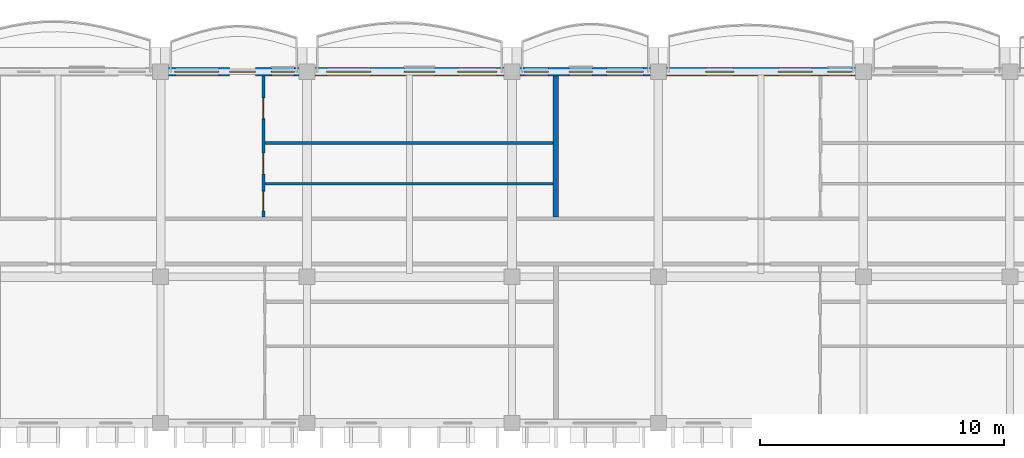
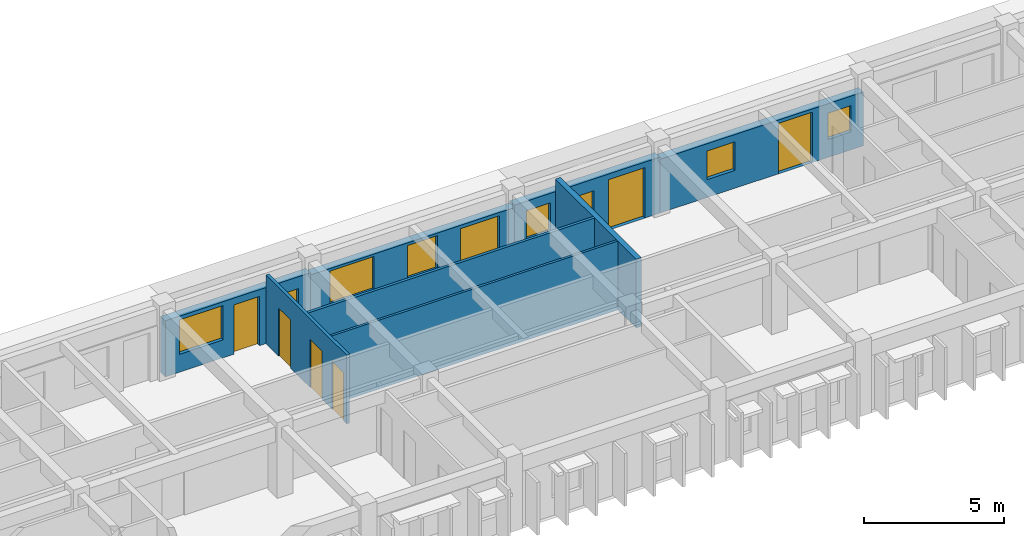
# One storey, part 30 of 70: 8 walls, 8 windows, 7 doors, 15 openings.
"""IFC4 building model written with IfcOpenShell, lengths in metres."""

import ifcopenshell
import ifcopenshell.guid

model = None  # the IFC model being written
_history = None  # IfcOwnerHistory: only IFC2X3 demands one
_inside = {}  # id of a spatial element -> (the spatial element, [elements in it])
_under = {}  # id of a project, library or spatial element -> (it, [spatial elements below it])
_declared = {}  # id of a project -> (the project, [libraries it declares])
_typed = {}  # id of a type object -> (the type object, [elements of that type])
_made_of = {}  # id of a material, layer set ... -> (it, [elements and type objects made of it])


def new_model(schema):
    """Start an empty IFC model of exactly this schema.

    Asked for "IFC4X3", IfcOpenShell would pick the latest addendum, in which some entities
    have other attributes; the version numbers below select the first issue.
    IFC2X3 requires an IfcOwnerHistory on every rooted entity: one is made here for all.
    """
    global model, _history
    if schema == "IFC4X3":
        model = ifcopenshell.file(schema_version=(4, 3, 0, 0))
    else:
        model = ifcopenshell.file(schema=schema)
    _inside.clear()
    _under.clear()
    _declared.clear()
    _typed.clear()
    _made_of.clear()
    _history = None
    if model.schema == "IFC2X3":
        org = make("IfcOrganization", Name="unknown")
        user = make(
            "IfcPersonAndOrganization",
            ThePerson=make("IfcPerson", FamilyName="unknown"),
            TheOrganization=org,
        )
        app = make(
            "IfcApplication",
            ApplicationDeveloper=org,
            Version="unknown",
            ApplicationFullName="unknown",
            ApplicationIdentifier="unknown",
        )
        _history = make(
            "IfcOwnerHistory",
            OwningUser=user,
            OwningApplication=app,
            ChangeAction="ADDED",
            CreationDate=0,
        )
    return model


def make(cls, **values):
    """One entity of the class cls with the attributes given. An attribute that is None is left unset."""
    return model.create_entity(
        cls, **{name: value for name, value in values.items() if value is not None}
    )


def rooted(cls, **values):
    """An entity with a GlobalId (a new one), such as an element, a storey or a relation."""
    return make(cls, GlobalId=ifcopenshell.guid.new(), OwnerHistory=_history, **values)


def si_unit(unit_type, name, prefix=None):
    """IfcSIUnit, for example si_unit("LENGTHUNIT", "METRE", prefix="MILLI")."""
    return make("IfcSIUnit", UnitType=unit_type, Prefix=prefix, Name=name)


def assignment(units):
    """IfcUnitAssignment: the units of a project."""
    return None if units is None else make("IfcUnitAssignment", Units=units)


def point(xyz):
    """IfcCartesianPoint."""
    return None if xyz is None else make("IfcCartesianPoint", Coordinates=xyz)


def direction(xyz):
    """IfcDirection."""
    return None if xyz is None else make("IfcDirection", DirectionRatios=xyz)


def frame(location, z_axis=None, x_axis=None):
    """IfcAxis2Placement3D, a coordinate frame: its origin and axes. An axis left out is left unset."""
    return make(
        "IfcAxis2Placement3D",
        Location=point(location),
        Axis=direction(z_axis),
        RefDirection=direction(x_axis),
    )


def frame_2d(location, x_axis=None):
    """IfcAxis2Placement2D, a coordinate frame in the plane: its origin and x axis."""
    return make(
        "IfcAxis2Placement2D", Location=point(location), RefDirection=direction(x_axis)
    )


def origin():
    """The frame at (0, 0, 0) with its axes left unset."""
    return frame((0.0, 0.0, 0.0))


def place(relative_to, where):
    """IfcLocalPlacement: puts the frame where relative to a parent placement (None: the world)."""
    return make(
        "IfcLocalPlacement", PlacementRelTo=relative_to, RelativePlacement=where
    )


def context(
    kind, dimensions, precision=None, world=None, true_north=None, identifier=None
):
    """IfcGeometricRepresentationContext, for example the 3D "Model" context."""
    return make(
        "IfcGeometricRepresentationContext",
        ContextIdentifier=identifier,
        ContextType=kind,
        CoordinateSpaceDimension=dimensions,
        Precision=precision,
        WorldCoordinateSystem=world,
        TrueNorth=true_north,
    )


def subcontext(parent, identifier, kind, view, scale=None):
    """IfcGeometricRepresentationSubContext, for example "Body" below "Model"."""
    return make(
        "IfcGeometricRepresentationSubContext",
        ContextIdentifier=identifier,
        ContextType=kind,
        ParentContext=parent,
        TargetScale=scale,
        TargetView=view,
    )


def project(units=None, contexts=None):
    """IfcProject with its units and contexts."""
    return rooted(
        "IfcProject",
        Name="project",
        RepresentationContexts=contexts,
        UnitsInContext=assignment(units),
    )


def spatial(cls, under=None, at=None, **own):
    """A site, building, storey or space (cls), placed at a placement, below another one or the project."""
    s = rooted(cls, ObjectPlacement=at, **own)
    if under is not None:
        _under.setdefault(under.id(), (under, []))[1].append(s)
    return s


def profile(cls, at=None, kind="AREA", **sizes):
    """A parametric profile (cls). Its sizes go by their IFC names, for example OverallWidth=200.0."""
    return make(cls, ProfileType=kind, Position=at, **sizes)


def rectangle(**sizes):
    """IfcRectangleProfileDef."""
    return profile("IfcRectangleProfileDef", **sizes)


def extrude(swept, where, along, depth):
    """IfcExtrudedAreaSolid: the profile swept, set in the frame where, extruded along a direction by depth."""
    return make(
        "IfcExtrudedAreaSolid",
        SweptArea=swept,
        Position=where,
        ExtrudedDirection=direction(along),
        Depth=depth,
    )


def shape(context_of_items, identifier, shape_type, items):
    """IfcShapeRepresentation: the items that make up one representation, for example the "Body"."""
    return make(
        "IfcShapeRepresentation",
        ContextOfItems=context_of_items,
        RepresentationIdentifier=identifier,
        RepresentationType=shape_type,
        Items=items,
    )


def material(Name=None, Category=None):
    """IfcMaterial."""
    return make("IfcMaterial", Name=Name, Category=Category)


def layer(
    of_material, thickness, ventilated=None, Name=None, Category=None, Priority=None
):
    """IfcMaterialLayer: one layer of a wall or slab, of a material (None: an air gap)."""
    return make(
        "IfcMaterialLayer",
        Material=of_material,
        LayerThickness=thickness,
        IsVentilated=ventilated,
        Name=Name,
        Category=Category,
        Priority=Priority,
    )


def layer_set(layers, Name=None):
    """IfcMaterialLayerSet."""
    return make("IfcMaterialLayerSet", MaterialLayers=layers, LayerSetName=Name)


def made_of(thing, what):
    """Note that an element or type object is made of a material, layer set ...; save() writes the relation."""
    if what is not None:
        _made_of.setdefault(what.id(), (what, []))[1].append(thing)
    return thing


def type_object(cls, material=None, **own):
    """A type object (cls), such as IfcWallType, which elements share."""
    return made_of(rooted(cls, **own), material)


def element(
    cls,
    number,
    at=None,
    inside=None,
    cuts=None,
    type_object=None,
    material=None,
    context=None,
    identifier="Body",
    shape_type=None,
    held_by="IfcProductDefinitionShape",
    body=None,
    shapes=None,
    **own,
):
    """One element of the class cls, such as IfcWall. Its Tag is "e" and its number.

    at: its placement. inside: the storey or other place that contains it. cuts: it is an
    opening in that element (IfcRelVoidsElement). A single representation is given by context,
    identifier, shape_type and body (its items); several are given by shapes. held_by: the class
    of the entity that holds the representations. save() writes the other relations.
    """
    e = rooted(cls, Tag="e%d" % number, ObjectPlacement=at, **own)
    if body is not None:
        shapes = [shape(context, identifier, shape_type, body)]
    if shapes is not None:
        e.Representation = make(held_by, Representations=shapes)
    if inside is not None:
        _inside.setdefault(inside.id(), (inside, []))[1].append(e)
    if cuts is not None:
        rooted(
            "IfcRelVoidsElement", RelatingBuildingElement=cuts, RelatedOpeningElement=e
        )
    if type_object is not None:
        _typed.setdefault(type_object.id(), (type_object, []))[1].append(e)
    return made_of(e, material)


def fill(opening, filler):
    """IfcRelFillsElement: the door or window that sits in an opening."""
    return rooted(
        "IfcRelFillsElement",
        RelatingOpeningElement=opening,
        RelatedBuildingElement=filler,
    )


def aggregate(whole, parts):
    """IfcRelAggregates: a whole, such as a stair, and the parts it consists of."""
    return rooted("IfcRelAggregates", RelatingObject=whole, RelatedObjects=parts)


def save(model, path):
    """Write the relations noted so far, then the file.

    IfcRelAggregates (storeys below a building ...), IfcRelContainedInSpatialStructure (elements
    in a storey), IfcRelDefinesByType, IfcRelAssociatesMaterial and IfcRelDeclares: one each for
    every whole, place, type object, material and project.
    """
    for whole, parts in _under.values():
        aggregate(whole, parts)
    for where, things in _inside.values():
        rooted(
            "IfcRelContainedInSpatialStructure",
            RelatedElements=things,
            RelatingStructure=where,
        )
    for kind, things in _typed.values():
        rooted("IfcRelDefinesByType", RelatedObjects=things, RelatingType=kind)
    for what, things in _made_of.values():
        rooted("IfcRelAssociatesMaterial", RelatedObjects=things, RelatingMaterial=what)
    for by, libraries in _declared.values():
        rooted("IfcRelDeclares", RelatingContext=by, RelatedDefinitions=libraries)
    model.write(path)


model = new_model("IFC4")

# Units and contexts
model_context = context("Model", 3, precision=1e-05, world=origin(), true_north=direction((0.0, 1.0)))
body_context = subcontext(model_context, "Body", "Model", "MODEL_VIEW")
ifc_project = project(units=[si_unit("LENGTHUNIT", "METRE"), si_unit("AREAUNIT", "SQUARE_METRE"), si_unit("VOLUMEUNIT", "CUBIC_METRE"), si_unit("PLANEANGLEUNIT", "RADIAN"), si_unit("MASSUNIT", "GRAM", prefix="KILO"), si_unit("THERMODYNAMICTEMPERATUREUNIT", "KELVIN")], contexts=[model_context])

# Site, building, storey
site_placement = place(None, origin())
site = spatial("IfcSite", under=ifc_project, at=site_placement, CompositionType="ELEMENT")
building_placement = place(site_placement, origin())
building = spatial("IfcBuilding", under=site, at=building_placement, Name="Thalorik Housing Commons", CompositionType="ELEMENT")
storey_placement = place(building_placement, frame((0.0, 0.0, 14.699951171875)))
storey = spatial("IfcBuildingStorey", under=building, at=storey_placement, Name="L04", CompositionType="ELEMENT", Elevation=14.699951171875)

# Wall, openings, door, windows
ifc_material_1 = material(Name="White precast concrete C40/50", Category="concrete")
ifc_layer_1 = layer(ifc_material_1, 0.3349609375, Name="White precast concrete C40/50", Category="concrete")
ifc_layer_set_1 = layer_set([ifc_layer_1], Name="White precast concrete C40/50")
wall_type_1 = type_object("IfcWallType", Name="ARC-WAL-EXT-335", PredefinedType="STANDARD", material=ifc_layer_set_1)
wall_1_placement = place(storey_placement, frame((138.0, 123.60009765625, 0.0), z_axis=(0.0, 0.0, 1.0), x_axis=(-1.0, 0.0, 0.0)))
wall_1 = element("IfcWall", 1, at=wall_1_placement, inside=storey, type_object=wall_type_1, Name="L04 Exterior Wall WAL-EXT-L04-B-0528", PredefinedType="STANDARD", context=body_context, shape_type="SweptSolid", body=[
    extrude(rectangle(XDim=8.39990234375, YDim=0.3349609375, at=frame_2d((4.199951171875, 0.0))), origin(), (0.0, 0.0, 1.0), 2.344970703125),
])
opening_1_placement = place(wall_1_placement, frame((2.097900390625, 0.0, 0.0)))
opening_1 = element("IfcOpeningElement", 2, at=opening_1_placement, cuts=wall_1, Name="Opening ED-0162", PredefinedType="OPENING", context=body_context, shape_type="SweptSolid", body=[
    extrude(rectangle(XDim=1.39990234375, YDim=2.199951171875, at=frame_2d((0.699951171875, 1.10009765625))), frame((0.0, 0.177490234375, 0.0), z_axis=(0.0, -1.0, 0.0), x_axis=(1.0, 0.0, 0.0)), (0.0, 0.0, 1.0), 0.35498046875),
])
opening_2_placement = place(wall_1_placement, frame((0.50390625, 0.0, 0.780029296875)))
opening_2 = element("IfcOpeningElement", 3, at=opening_2_placement, cuts=wall_1, Name="Opening W-43", PredefinedType="OPENING", context=body_context, shape_type="SweptSolid", body=[
    extrude(rectangle(XDim=0.949951171875, YDim=1.14990234375, at=frame_2d((0.47509765625, 0.574951171875))), frame((0.0, 0.177490234375, 0.0), z_axis=(0.0, -1.0, 0.0), x_axis=(1.0, 0.0, 0.0)), (0.0, 0.0, 1.0), 0.35498046875),
])
opening_3_placement = place(wall_1_placement, frame((5.303955078125, 0.0, 0.780029296875)))
opening_3 = element("IfcOpeningElement", 4, at=opening_3_placement, cuts=wall_1, Name="Opening W-45", PredefinedType="OPENING", context=body_context, shape_type="SweptSolid", body=[
    extrude(rectangle(XDim=1.14990234375, YDim=1.25, at=frame_2d((0.574951171875, 0.625))), frame((0.0, 0.177490234375, 0.0), z_axis=(0.0, -1.0, 0.0), x_axis=(1.0, 0.0, 0.0)), (0.0, 0.0, 1.0), 0.35498046875),
])
ifc_material_2 = material(Name="Anodised aluminium and laminated safety glass", Category="aluminium")
door_type_1 = type_object("IfcDoorType", Name="ARC-DR-BAL-1400", OperationType="NOTDEFINED", PredefinedType="DOOR", material=ifc_material_2)
door_1_placement = place(opening_1_placement, frame((1.39990234375, 0.0, 0.0), z_axis=(0.0, 0.0, 1.0), x_axis=(-1.0, 0.0, 0.0)))
door_1 = element("IfcDoor", 5, at=door_1_placement, inside=storey, type_object=door_type_1, Name="L04 Block B Balcony Glazed Door", OperationType="SLIDING_TO_LEFT", OverallHeight=2.199951171875, OverallWidth=1.39990234375, PredefinedType="DOOR", context=body_context, shape_type="SweptSolid", body=[
    extrude(rectangle(XDim=1.39990234375, YDim=2.199951171875, at=frame_2d((0.699951171875, 1.10009765625))), frame((0.0, 0.02490234375, 0.0), z_axis=(0.0, -1.0, 0.0), x_axis=(1.0, 0.0, 0.0)), (0.0, 0.0, 1.0), 0.050048828125),
])
fill(opening_1, door_1)
ifc_material_3 = material(Name="Anodised aluminium and solar-control low-E glass", Category="aluminium")
window_type_1 = type_object("IfcWindowType", Name="ARC-WIN-43", PartitioningType="SINGLE_PANEL", PredefinedType="WINDOW", material=ifc_material_3)
window_1_placement = place(opening_2_placement, origin())
window_1 = element("IfcWindow", 6, at=window_1_placement, inside=storey, type_object=window_type_1, Name="L04 Facade Window 947", OverallHeight=1.14990234375, OverallWidth=0.949951171875, PartitioningType="SINGLE_PANEL", PredefinedType="WINDOW", context=body_context, shape_type="SweptSolid", body=[
    extrude(rectangle(XDim=0.949951171875, YDim=1.14990234375, at=frame_2d((0.47509765625, 0.574951171875))), frame((0.0, 0.030029296875, 0.0), z_axis=(0.0, -1.0, 0.0), x_axis=(1.0, 0.0, 0.0)), (0.0, 0.0, 1.0), 0.06005859375),
])
fill(opening_2, window_1)
window_type_2 = type_object("IfcWindowType", Name="ARC-WIN-45", PartitioningType="SINGLE_PANEL", PredefinedType="WINDOW", material=ifc_material_3)
window_2_placement = place(opening_3_placement, origin())
window_2 = element("IfcWindow", 7, at=window_2_placement, inside=storey, type_object=window_type_2, Name="L04 Facade Window 948", OverallHeight=1.25, OverallWidth=1.14990234375, PartitioningType="SINGLE_PANEL", PredefinedType="WINDOW", context=body_context, shape_type="SweptSolid", body=[
    extrude(rectangle(XDim=1.14990234375, YDim=1.25, at=frame_2d((0.574951171875, 0.625))), frame((0.0, 0.030029296875, 0.0), z_axis=(0.0, -1.0, 0.0), x_axis=(1.0, 0.0, 0.0)), (0.0, 0.0, 1.0), 0.06005859375),
])
fill(opening_3, window_2)

wall_2_placement = place(storey_placement, frame((129.60009765625, 123.60009765625, 0.0), z_axis=(0.0, 0.0, 1.0), x_axis=(-1.0, 0.0, 0.0)))
wall_2 = element("IfcWall", 8, at=wall_2_placement, inside=storey, type_object=wall_type_1, Name="L04 Exterior Wall WAL-EXT-L04-B-0529", PredefinedType="STANDARD", context=body_context, shape_type="SweptSolid", body=[
    extrude(rectangle(XDim=6.0, YDim=0.3349609375, at=frame_2d((3.0, 0.0))), origin(), (0.0, 0.0, 1.0), 2.445068359375),
])
opening_4_placement = place(wall_2_placement, frame((0.6201171875, 0.0, 0.0)))
opening_4 = element("IfcOpeningElement", 9, at=opening_4_placement, cuts=wall_2, Name="Opening ED-0163", PredefinedType="OPENING", context=body_context, shape_type="SweptSolid", body=[
    extrude(rectangle(XDim=1.5, YDim=2.199951171875, at=frame_2d((0.75, 1.10009765625))), frame((0.0, 0.177490234375, 0.0), z_axis=(0.0, -1.0, 0.0), x_axis=(1.0, 0.0, 0.0)), (0.0, 0.0, 1.0), 0.35498046875),
])
opening_5_placement = place(wall_2_placement, frame((2.7099609375, 0.0, 0.780029296875)))
opening_5 = element("IfcOpeningElement", 10, at=opening_5_placement, cuts=wall_2, Name="Opening W-43", PredefinedType="OPENING", context=body_context, shape_type="SweptSolid", body=[
    extrude(rectangle(XDim=0.949951171875, YDim=1.14990234375, at=frame_2d((0.47509765625, 0.574951171875))), frame((0.0, 0.177490234375, 0.0), z_axis=(0.0, -1.0, 0.0), x_axis=(1.0, 0.0, 0.0)), (0.0, 0.0, 1.0), 0.35498046875),
])
opening_6_placement = place(wall_2_placement, frame((4.5048828125, 0.0, 0.780029296875)))
opening_6 = element("IfcOpeningElement", 11, at=opening_6_placement, cuts=wall_2, Name="Opening W-02", PredefinedType="OPENING", context=body_context, shape_type="SweptSolid", body=[
    extrude(rectangle(XDim=1.0, YDim=1.25, at=frame_2d((0.5, 0.625))), frame((0.0, 0.177490234375, 0.0), z_axis=(0.0, -1.0, 0.0), x_axis=(1.0, 0.0, 0.0)), (0.0, 0.0, 1.0), 0.35498046875),
])
door_type_2 = type_object("IfcDoorType", Name="ARC-DR-BAL-1500", OperationType="NOTDEFINED", PredefinedType="DOOR", material=ifc_material_2)
door_2_placement = place(opening_4_placement, frame((1.5, 0.0, 0.0), z_axis=(0.0, 0.0, 1.0), x_axis=(-1.0, 0.0, 0.0)))
door_2 = element("IfcDoor", 12, at=door_2_placement, inside=storey, type_object=door_type_2, Name="L04 Block B Balcony Glazed Door", OperationType="SLIDING_TO_RIGHT", OverallHeight=2.199951171875, OverallWidth=1.5, PredefinedType="DOOR", context=body_context, shape_type="SweptSolid", body=[
    extrude(rectangle(XDim=1.5, YDim=2.199951171875, at=frame_2d((0.75, 1.10009765625))), frame((0.0, 0.02490234375, 0.0), z_axis=(0.0, -1.0, 0.0), x_axis=(1.0, 0.0, 0.0)), (0.0, 0.0, 1.0), 0.050048828125),
])
fill(opening_4, door_2)
window_type_3 = type_object("IfcWindowType", Name="ARC-WIN-02", PartitioningType="SINGLE_PANEL", PredefinedType="WINDOW", material=ifc_material_3)
window_3_placement = place(opening_6_placement, origin())
window_3 = element("IfcWindow", 13, at=window_3_placement, inside=storey, type_object=window_type_3, Name="L04 Facade Window 950", OverallHeight=1.25, OverallWidth=1.0, PartitioningType="SINGLE_PANEL", PredefinedType="WINDOW", context=body_context, shape_type="SweptSolid", body=[
    extrude(rectangle(XDim=1.0, YDim=1.25, at=frame_2d((0.5, 0.625))), frame((0.0, 0.030029296875, 0.0), z_axis=(0.0, -1.0, 0.0), x_axis=(1.0, 0.0, 0.0)), (0.0, 0.0, 1.0), 0.06005859375),
])
fill(opening_6, window_3)
window_4_placement = place(opening_5_placement, origin())
window_4 = element("IfcWindow", 14, at=window_4_placement, inside=storey, type_object=window_type_1, Name="L04 Facade Window 949", OverallHeight=1.14990234375, OverallWidth=0.949951171875, PartitioningType="SINGLE_PANEL", PredefinedType="WINDOW", context=body_context, shape_type="SweptSolid", body=[
    extrude(rectangle(XDim=0.949951171875, YDim=1.14990234375, at=frame_2d((0.47509765625, 0.574951171875))), frame((0.0, 0.030029296875, 0.0), z_axis=(0.0, -1.0, 0.0), x_axis=(1.0, 0.0, 0.0)), (0.0, 0.0, 1.0), 0.06005859375),
])
fill(opening_5, window_4)

wall_3_placement = place(storey_placement, frame((123.60009765625, 123.60009765625, 0.0), z_axis=(0.0, 0.0, 1.0), x_axis=(-1.0, 0.0, 0.0)))
wall_3 = element("IfcWall", 15, at=wall_3_placement, inside=storey, type_object=wall_type_1, Name="L04 Exterior Wall WAL-EXT-L04-B-0530", PredefinedType="STANDARD", context=body_context, shape_type="SweptSolid", body=[
    extrude(rectangle(XDim=8.400146484375, YDim=0.3349609375, at=frame_2d((4.2001953125, 0.0))), origin(), (0.0, 0.0, 1.0), 2.344970703125),
])
opening_7_placement = place(wall_3_placement, frame((0.6201171875, 0.0, 0.0)))
opening_7 = element("IfcOpeningElement", 16, at=opening_7_placement, cuts=wall_3, Name="Opening ED-0164", PredefinedType="OPENING", context=body_context, shape_type="SweptSolid", body=[
    extrude(rectangle(XDim=1.60009765625, YDim=2.199951171875, at=frame_2d((0.800048828125, 1.10009765625))), frame((0.0, 0.177490234375, 0.0), z_axis=(0.0, -1.0, 0.0), x_axis=(1.0, 0.0, 0.0)), (0.0, 0.0, 1.0), 0.35498046875),
])
opening_8_placement = place(wall_3_placement, frame((3.1650390625, 0.0, 0.780029296875)))
opening_8 = element("IfcOpeningElement", 17, at=opening_8_placement, cuts=wall_3, Name="Opening W-47", PredefinedType="OPENING", context=body_context, shape_type="SweptSolid", body=[
    extrude(rectangle(XDim=1.25, YDim=1.449951171875, at=frame_2d((0.625, 0.72509765625))), frame((0.0, 0.177490234375, 0.0), z_axis=(0.0, -1.0, 0.0), x_axis=(1.0, 0.0, 0.0)), (0.0, 0.0, 1.0), 0.35498046875),
])
opening_9_placement = place(wall_3_placement, frame((5.780029296875, 0.0, 0.780029296875)))
opening_9 = element("IfcOpeningElement", 18, at=opening_9_placement, cuts=wall_3, Name="Opening W-58", PredefinedType="OPENING", context=body_context, shape_type="SweptSolid", body=[
    extrude(rectangle(XDim=1.820068359375, YDim=1.4599609375, at=frame_2d((0.91015625, 0.72998046875))), frame((0.0, 0.177490234375, 0.0), z_axis=(0.0, -1.0, 0.0), x_axis=(1.0, 0.0, 0.0)), (0.0, 0.0, 1.0), 0.35498046875),
])
door_type_3 = type_object("IfcDoorType", Name="ARC-DR-BAL-1600", OperationType="NOTDEFINED", PredefinedType="DOOR", material=ifc_material_2)
door_3_placement = place(opening_7_placement, frame((1.60009765625, 0.0, 0.0), z_axis=(0.0, 0.0, 1.0), x_axis=(-1.0, 0.0, 0.0)))
door_3 = element("IfcDoor", 19, at=door_3_placement, inside=storey, type_object=door_type_3, Name="L04 Block B Balcony Glazed Door", OperationType="SLIDING_TO_LEFT", OverallHeight=2.199951171875, OverallWidth=1.60009765625, PredefinedType="DOOR", context=body_context, shape_type="SweptSolid", body=[
    extrude(rectangle(XDim=1.60009765625, YDim=2.199951171875, at=frame_2d((0.800048828125, 1.10009765625))), frame((0.0, 0.02490234375, 0.0), z_axis=(0.0, -1.0, 0.0), x_axis=(1.0, 0.0, 0.0)), (0.0, 0.0, 1.0), 0.050048828125),
])
fill(opening_7, door_3)
window_type_4 = type_object("IfcWindowType", Name="ARC-WIN-47", PartitioningType="SINGLE_PANEL", PredefinedType="WINDOW", material=ifc_material_3)
window_5_placement = place(opening_8_placement, origin())
window_5 = element("IfcWindow", 20, at=window_5_placement, inside=storey, type_object=window_type_4, Name="L04 Facade Window 951", OverallHeight=1.449951171875, OverallWidth=1.25, PartitioningType="SINGLE_PANEL", PredefinedType="WINDOW", context=body_context, shape_type="SweptSolid", body=[
    extrude(rectangle(XDim=1.25, YDim=1.449951171875, at=frame_2d((0.625, 0.72509765625))), frame((0.0, 0.030029296875, 0.0), z_axis=(0.0, -1.0, 0.0), x_axis=(1.0, 0.0, 0.0)), (0.0, 0.0, 1.0), 0.06005859375),
])
fill(opening_8, window_5)
window_type_5 = type_object("IfcWindowType", Name="ARC-WIN-58", PartitioningType="DOUBLE_PANEL_VERTICAL", PredefinedType="WINDOW", material=ifc_material_3)
window_6_placement = place(opening_9_placement, origin())
window_6 = element("IfcWindow", 21, at=window_6_placement, inside=storey, type_object=window_type_5, Name="L04 Facade Window 952", OverallHeight=1.4599609375, OverallWidth=1.820068359375, PartitioningType="DOUBLE_PANEL_VERTICAL", PredefinedType="WINDOW", context=body_context, shape_type="SweptSolid", body=[
    extrude(rectangle(XDim=1.820068359375, YDim=1.4599609375, at=frame_2d((0.91015625, 0.72998046875))), frame((0.0, 0.030029296875, 0.0), z_axis=(0.0, -1.0, 0.0), x_axis=(1.0, 0.0, 0.0)), (0.0, 0.0, 1.0), 0.06005859375),
])
fill(opening_9, window_6)

wall_4_placement = place(storey_placement, frame((115.199951171875, 123.60009765625, 0.0), z_axis=(0.0, 0.0, 1.0), x_axis=(-1.0, 0.0, 0.0)))
wall_4 = element("IfcWall", 22, at=wall_4_placement, inside=storey, type_object=wall_type_1, Name="L04 Exterior Wall WAL-EXT-L04-B-0531", PredefinedType="STANDARD", context=body_context, shape_type="SweptSolid", body=[
    extrude(rectangle(XDim=6.0, YDim=0.3349609375, at=frame_2d((3.0, 0.0))), origin(), (0.0, 0.0, 1.0), 2.445068359375),
])
opening_10_placement = place(wall_4_placement, frame((2.1171875, 0.0, 0.0)))
opening_10 = element("IfcOpeningElement", 23, at=opening_10_placement, cuts=wall_4, Name="Opening ED-0165", PredefinedType="OPENING", context=body_context, shape_type="SweptSolid", body=[
    extrude(rectangle(XDim=1.050048828125, YDim=2.14990234375, at=frame_2d((0.52490234375, 1.074951171875))), frame((0.0, 0.177490234375, 0.0), z_axis=(0.0, -1.0, 0.0), x_axis=(1.0, 0.0, 0.0)), (0.0, 0.0, 1.0), 0.35498046875),
])
opening_11_placement = place(wall_4_placement, frame((0.513671875, 0.0, 0.780029296875)))
opening_11 = element("IfcOpeningElement", 24, at=opening_11_placement, cuts=wall_4, Name="Opening W-43", PredefinedType="OPENING", context=body_context, shape_type="SweptSolid", body=[
    extrude(rectangle(XDim=0.949951171875, YDim=1.14990234375, at=frame_2d((0.47509765625, 0.574951171875))), frame((0.0, 0.177490234375, 0.0), z_axis=(0.0, -1.0, 0.0), x_axis=(1.0, 0.0, 0.0)), (0.0, 0.0, 1.0), 0.35498046875),
])
opening_12_placement = place(wall_4_placement, frame((3.613525390625, 0.0, 0.780029296875)))
opening_12 = element("IfcOpeningElement", 25, at=opening_12_placement, cuts=wall_4, Name="Opening W-18", PredefinedType="OPENING", context=body_context, shape_type="SweptSolid", body=[
    extrude(rectangle(XDim=1.800048828125, YDim=1.5, at=frame_2d((0.89990234375, 0.75))), frame((0.0, 0.177490234375, 0.0), z_axis=(0.0, -1.0, 0.0), x_axis=(1.0, 0.0, 0.0)), (0.0, 0.0, 1.0), 0.35498046875),
])
door_type_4 = type_object("IfcDoorType", Name="ARC-DR-BAL-1050", OperationType="NOTDEFINED", PredefinedType="DOOR", material=ifc_material_2)
door_4_placement = place(opening_10_placement, frame((1.050048828125, 0.0, 0.0), z_axis=(0.0, 0.0, 1.0), x_axis=(-1.0, 0.0, 0.0)))
door_4 = element("IfcDoor", 26, at=door_4_placement, inside=storey, type_object=door_type_4, Name="L04 Block B Balcony Glazed Door", OperationType="SINGLE_SWING_RIGHT", OverallHeight=2.14990234375, OverallWidth=1.050048828125, PredefinedType="DOOR", context=body_context, shape_type="SweptSolid", body=[
    extrude(rectangle(XDim=1.050048828125, YDim=2.14990234375, at=frame_2d((0.52490234375, 1.074951171875))), frame((0.0, 0.02490234375, 0.0), z_axis=(0.0, -1.0, 0.0), x_axis=(1.0, 0.0, 0.0)), (0.0, 0.0, 1.0), 0.050048828125),
])
fill(opening_10, door_4)
window_type_6 = type_object("IfcWindowType", Name="ARC-WIN-18", PartitioningType="DOUBLE_PANEL_VERTICAL", PredefinedType="WINDOW", material=ifc_material_3)
window_7_placement = place(opening_12_placement, origin())
window_7 = element("IfcWindow", 27, at=window_7_placement, inside=storey, type_object=window_type_6, Name="L04 Facade Window 954", OverallHeight=1.5, OverallWidth=1.800048828125, PartitioningType="DOUBLE_PANEL_VERTICAL", PredefinedType="WINDOW", context=body_context, shape_type="SweptSolid", body=[
    extrude(rectangle(XDim=1.800048828125, YDim=1.5, at=frame_2d((0.89990234375, 0.75))), frame((0.0, 0.030029296875, 0.0), z_axis=(0.0, -1.0, 0.0), x_axis=(1.0, 0.0, 0.0)), (0.0, 0.0, 1.0), 0.06005859375),
])
fill(opening_12, window_7)
window_8_placement = place(opening_11_placement, origin())
window_8 = element("IfcWindow", 28, at=window_8_placement, inside=storey, type_object=window_type_1, Name="L04 Facade Window 953", OverallHeight=1.14990234375, OverallWidth=0.949951171875, PartitioningType="SINGLE_PANEL", PredefinedType="WINDOW", context=body_context, shape_type="SweptSolid", body=[
    extrude(rectangle(XDim=0.949951171875, YDim=1.14990234375, at=frame_2d((0.47509765625, 0.574951171875))), frame((0.0, 0.030029296875, 0.0), z_axis=(0.0, -1.0, 0.0), x_axis=(1.0, 0.0, 0.0)), (0.0, 0.0, 1.0), 0.06005859375),
])
fill(opening_11, window_8)

# Walls
ifc_material_4 = material(Name="Gypsum light stud partition", Category="masonry")
ifc_layer_2 = layer(ifc_material_4, 0.10009765625, Name="Gypsum light stud partition", Category="masonry")
ifc_layer_set_2 = layer_set([ifc_layer_2], Name="Gypsum light stud partition")
wall_type_2 = type_object("IfcWallType", Name="ARC-WAL-PART-100", PredefinedType="PARTITIONING", material=ifc_layer_set_2)
wall_5_placement = place(storey_placement, frame((113.477294921875, 119.010498046875, 0.0), z_axis=(0.0, 0.0, 1.0), x_axis=(1.0, 0.0, 0.0)))
element("IfcWall", 29, at=wall_5_placement, inside=storey, type_object=wall_type_2, Name="L04 Unit 2B Wet Wall", PredefinedType="PARTITIONING", context=body_context, shape_type="SweptSolid", body=[
    extrude(rectangle(XDim=11.810791015625, YDim=0.10009765625, at=frame_2d((5.9052734375, 0.0))), origin(), (0.0, 0.0, 1.0), 3.0),
])
ifc_material_5 = material(Name="Gypsum moisture-resistant partition", Category="masonry")
ifc_layer_3 = layer(ifc_material_5, 0.114990234375, Name="Gypsum moisture-resistant partition", Category="masonry")
ifc_layer_set_3 = layer_set([ifc_layer_3], Name="Gypsum moisture-resistant partition")
wall_type_3 = type_object("IfcWallType", Name="ARC-WAL-PART-115", PredefinedType="PARTITIONING", material=ifc_layer_set_3)
wall_6_placement = place(storey_placement, frame((113.477294921875, 120.67919921875, 0.0), z_axis=(0.0, 0.0, 1.0), x_axis=(1.0, 0.0, 0.0)))
element("IfcWall", 30, at=wall_6_placement, inside=storey, type_object=wall_type_3, Name="L04 Unit 2B Bedroom Partition", PredefinedType="PARTITIONING", context=body_context, shape_type="SweptSolid", body=[
    extrude(rectangle(XDim=11.810791015625, YDim=0.114990234375, at=frame_2d((5.9052734375, 0.0))), origin(), (0.0, 0.0, 1.0), 3.0),
])

# Wall, openings, doors
ifc_material_6 = material(Name="Gypsum acoustic stud partition", Category="masonry")
ifc_layer_4 = layer(ifc_material_6, 0.125, Name="Gypsum acoustic stud partition", Category="masonry")
ifc_layer_set_4 = layer_set([ifc_layer_4], Name="Gypsum acoustic stud partition")
wall_type_4 = type_object("IfcWallType", Name="ARC-WAL-PART-125", PredefinedType="PARTITIONING", material=ifc_layer_set_4)
wall_7_placement = place(storey_placement, frame((113.412841796875, 117.656982421875, 0.0), z_axis=(0.0, 0.0, 1.0), x_axis=(0.0, 1.0, 0.0)))
wall_7 = element("IfcWall", 31, at=wall_7_placement, inside=storey, type_object=wall_type_4, Name="L04 Unit 2B Spine Partition", PredefinedType="PARTITIONING", context=body_context, shape_type="SweptSolid", body=[
    extrude(rectangle(XDim=5.7734375, YDim=0.125, at=frame_2d((2.88671875, 0.0))), origin(), (0.0, 0.0, 1.0), 3.0),
])
opening_13_placement = place(wall_7_placement, frame((0.23828125, 0.0, 0.0)))
opening_13 = element("IfcOpeningElement", 32, at=opening_13_placement, cuts=wall_7, Name="Opening ID-1132", PredefinedType="OPENING", context=body_context, shape_type="SweptSolid", body=[
    extrude(rectangle(XDim=0.800048828125, YDim=2.10009765625, at=frame_2d((0.39990234375, 1.050048828125))), frame((0.0, 0.072509765625, 0.0), z_axis=(0.0, -1.0, 0.0), x_axis=(1.0, 0.0, 0.0)), (0.0, 0.0, 1.0), 0.14501953125),
])
opening_14_placement = place(wall_7_placement, frame((1.7626953125, 0.0, 0.0)))
opening_14 = element("IfcOpeningElement", 33, at=opening_14_placement, cuts=wall_7, Name="Opening ID-1133", PredefinedType="OPENING", context=body_context, shape_type="SweptSolid", body=[
    extrude(rectangle(XDim=0.85009765625, YDim=2.10009765625, at=frame_2d((0.425048828125, 1.050048828125))), frame((0.0, 0.072509765625, 0.0), z_axis=(0.0, -1.0, 0.0), x_axis=(1.0, 0.0, 0.0)), (0.0, 0.0, 1.0), 0.14501953125),
])
opening_15_placement = place(wall_7_placement, frame((4.027587890625, 0.0, 0.0)))
opening_15 = element("IfcOpeningElement", 34, at=opening_15_placement, cuts=wall_7, Name="Opening ID-1134", PredefinedType="OPENING", context=body_context, shape_type="SweptSolid", body=[
    extrude(rectangle(XDim=0.85009765625, YDim=2.10009765625, at=frame_2d((0.425048828125, 1.050048828125))), frame((0.0, 0.072509765625, 0.0), z_axis=(0.0, -1.0, 0.0), x_axis=(1.0, 0.0, 0.0)), (0.0, 0.0, 1.0), 0.14501953125),
])
ifc_material_7 = material(Name="Moisture-resistant timber", Category="wood")
door_type_5 = type_object("IfcDoorType", Name="ARC-DR-INT-800", OperationType="NOTDEFINED", PredefinedType="DOOR", material=ifc_material_7)
door_5_placement = place(opening_13_placement, origin())
door_5 = element("IfcDoor", 35, at=door_5_placement, inside=storey, type_object=door_type_5, Name="L04 Flat Bathroom Door", OperationType="SINGLE_SWING_LEFT", OverallHeight=2.10009765625, OverallWidth=0.800048828125, PredefinedType="DOOR", context=body_context, shape_type="SweptSolid", body=[
    extrude(rectangle(XDim=0.800048828125, YDim=2.10009765625, at=frame_2d((0.39990234375, 1.050048828125))), frame((0.0, 0.02490234375, 0.0), z_axis=(0.0, -1.0, 0.0), x_axis=(1.0, 0.0, 0.0)), (0.0, 0.0, 1.0), 0.050048828125),
])
fill(opening_13, door_5)
ifc_material_8 = material(Name="Engineered oak timber", Category="wood")
door_type_6 = type_object("IfcDoorType", Name="ARC-DR-INT-850", OperationType="NOTDEFINED", PredefinedType="DOOR", material=ifc_material_8)
door_6_placement = place(opening_14_placement, origin())
door_6 = element("IfcDoor", 36, at=door_6_placement, inside=storey, type_object=door_type_6, Name="L04 Eat-In Kitchen Door", OperationType="SINGLE_SWING_RIGHT", OverallHeight=2.10009765625, OverallWidth=0.85009765625, PredefinedType="DOOR", context=body_context, shape_type="SweptSolid", body=[
    extrude(rectangle(XDim=0.85009765625, YDim=2.10009765625, at=frame_2d((0.425048828125, 1.050048828125))), frame((0.0, 0.02490234375, 0.0), z_axis=(0.0, -1.0, 0.0), x_axis=(1.0, 0.0, 0.0)), (0.0, 0.0, 1.0), 0.050048828125),
])
fill(opening_14, door_6)
door_7_placement = place(opening_15_placement, origin())
door_7 = element("IfcDoor", 37, at=door_7_placement, inside=storey, type_object=door_type_6, Name="L04 Master Bedroom Door", OperationType="SINGLE_SWING_LEFT", OverallHeight=2.10009765625, OverallWidth=0.85009765625, PredefinedType="DOOR", context=body_context, shape_type="SweptSolid", body=[
    extrude(rectangle(XDim=0.85009765625, YDim=2.10009765625, at=frame_2d((0.425048828125, 1.050048828125))), frame((0.0, 0.02490234375, 0.0), z_axis=(0.0, -1.0, 0.0), x_axis=(1.0, 0.0, 0.0)), (0.0, 0.0, 1.0), 0.050048828125),
])
fill(opening_15, door_7)

# Wall
ifc_material_9 = material(Name="Precast concrete C40/50 acoustic wall", Category="concrete")
ifc_layer_5 = layer(ifc_material_9, 0.219970703125, Name="Precast concrete C40/50 acoustic wall", Category="concrete")
ifc_layer_set_5 = layer_set([ifc_layer_5], Name="Precast concrete C40/50 acoustic wall")
wall_type_5 = type_object("IfcWallType", Name="ARC-WAL-PARTY-220", PredefinedType="PARTITIONING", material=ifc_layer_set_5)
wall_8_placement = place(storey_placement, frame((125.39990234375, 117.656982421875, 0.0), z_axis=(0.0, 0.0, 1.0), x_axis=(0.0, 1.0, 0.0)))
element("IfcWall", 38, at=wall_8_placement, inside=storey, type_object=wall_type_5, Name="L04 Inter-Tenancy Wall 2B", PredefinedType="PARTITIONING", context=body_context, shape_type="SweptSolid", body=[
    extrude(rectangle(XDim=5.7734375, YDim=0.219970703125, at=frame_2d((2.88671875, 0.0))), origin(), (0.0, 0.0, 1.0), 3.0),
])

save(model, "model.ifc")
